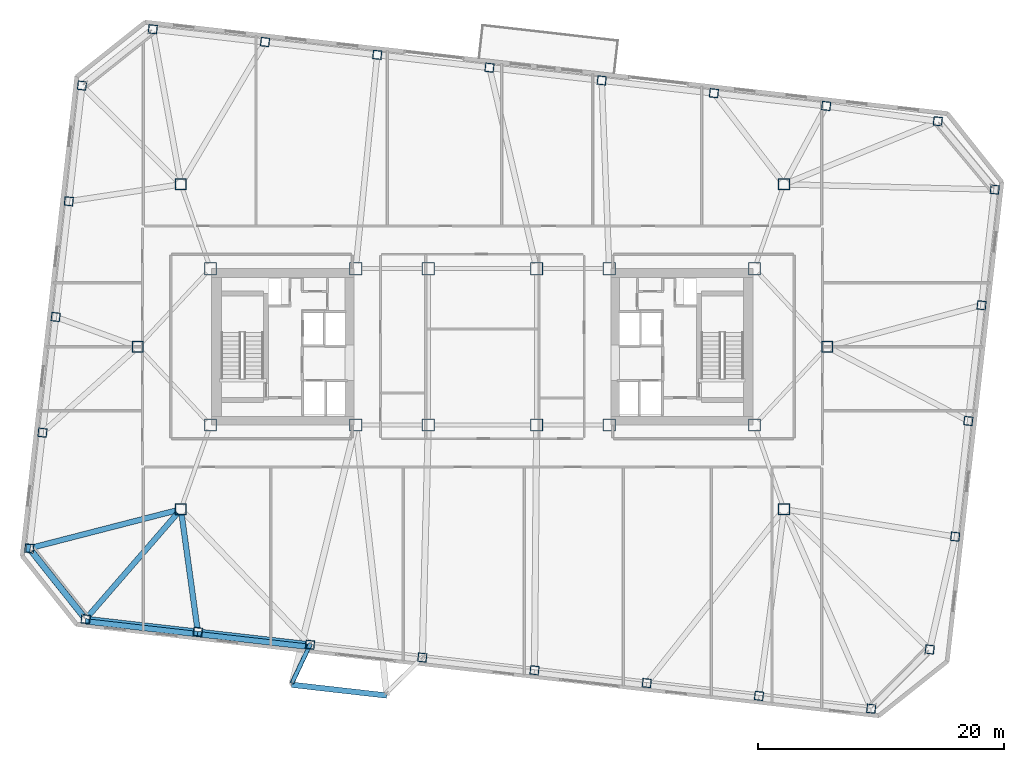
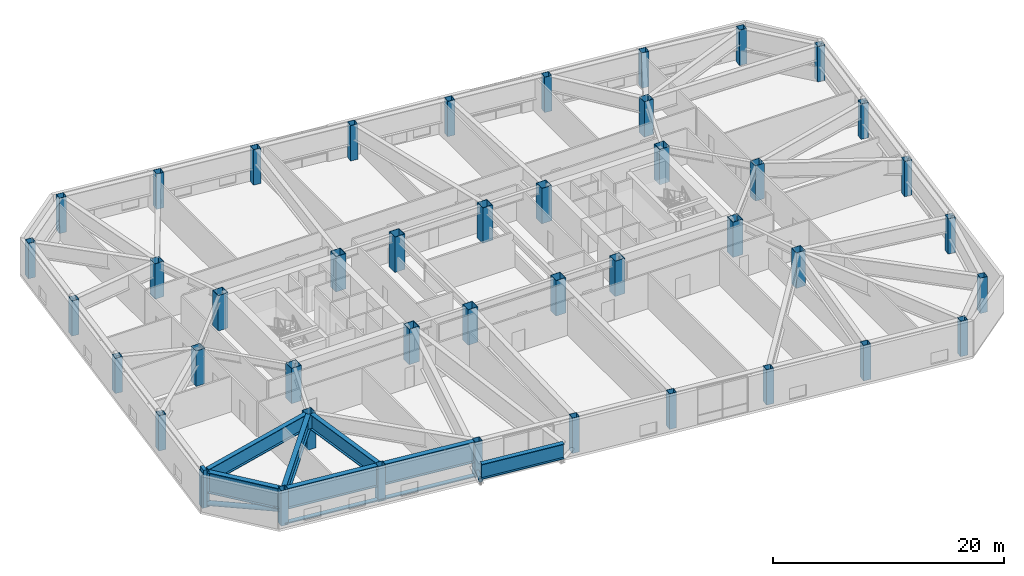
# One storey, part 1 of 21: 44 columns, 7 beams, 5 members.
"""IFC4 building model written with IfcOpenShell, lengths in metres."""

from ifc_helpers import new_model, si_unit, direction, frame, origin, origin_2d, place, context, subcontext, project, spatial, rectangle, hollow_rectangle, hollow_circle, i_section, extrude, material, material_profile, profile_set, type_object, element, save


model = new_model("IFC4")

# Units and contexts
model_context = context("Model", 3, precision=1e-05, world=origin(), true_north=direction((0.0, 1.0)))
body_context = subcontext(model_context, "Body", "Model", "MODEL_VIEW")
ifc_project = project(units=[si_unit("LENGTHUNIT", "METRE"), si_unit("AREAUNIT", "SQUARE_METRE"), si_unit("VOLUMEUNIT", "CUBIC_METRE"), si_unit("PLANEANGLEUNIT", "RADIAN"), si_unit("MASSUNIT", "GRAM", prefix="KILO")], contexts=[model_context])

# Site, building, storey
site_placement = place(None, origin())
site = spatial("IfcSite", under=ifc_project, at=site_placement, CompositionType="ELEMENT")
building_placement = place(site_placement, origin())
building = spatial("IfcBuilding", under=site, at=building_placement, Name="Tavrogorsk Clinical Tower", CompositionType="ELEMENT")
storey_placement = place(building_placement, frame((0.0, 0.0, 89.39990234375)))
storey = spatial("IfcBuildingStorey", under=building, at=storey_placement, Name="L19", CompositionType="ELEMENT", Elevation=89.39990234375)

# Columns
ifc_material_1 = material(Name="Structural steel S440", Category="steel")
ifc_material_profile_1 = material_profile(ifc_material_1, hollow_rectangle(XDim=1.0, YDim=1.0, WallThickness=0.044921875, at=origin_2d()), Name="BOX-1000x1000x45")
ifc_profile_set_1 = profile_set([ifc_material_profile_1], Name="Structural steel S440")
column_type_1 = type_object("IfcColumnType", Name="MegaCol_BOX1000", PredefinedType="COLUMN", material=ifc_profile_set_1)
for number, where, z_axis, x_axis, name in (
    (1, (-22.10009765625, -6.35009765625, 0.0), (0.0, 0.0, 1.0), (1.0, 0.0, 0.0), "L19 Mega Column MC-W1"),
    (2, (-22.10009765625, 6.35009765625, 0.0), (0.0, 0.0, 1.0), (1.0, 0.0, 0.0), "L19 Mega Column MC-W2"),
    (3, (-10.300048828125, -6.35009765625, 0.0), (0.0, 0.0, 1.0), (1.0, 0.0, 0.0), "L19 Mega Column MC-W3"),
    (4, (-10.300048828125, 6.35009765625, 0.0), (0.0, 0.0, 1.0), (1.0, 0.0, 0.0), "L19 Mega Column MC-W4"),
    (5, (10.300048828125, -6.35009765625, 0.0), (0.0, 0.0, 1.0), (1.0, 0.0, 0.0), "L19 Mega Column MC-E1"),
    (6, (10.300048828125, 6.35009765625, 0.0), (0.0, 0.0, 1.0), (1.0, 0.0, 0.0), "L19 Mega Column MC-E2"),
    (7, (22.10009765625, -6.35009765625, 0.0), (0.0, 0.0, 1.0), (1.0, 0.0, 0.0), "L19 Mega Column MC-E3"),
    (8, (22.10009765625, 6.35009765625, 0.0), (0.0, 0.0, 1.0), (1.0, 0.0, 0.0), "L19 Mega Column MC-E4"),
    (9, (-4.39990234375, -6.35009765625, 0.0), (0.0, 0.0, 1.0), (1.0, 0.0, 0.0), "L19 Mega Column MC-C1"),
    (10, (4.39990234375, -6.35009765625, 0.0), (0.0, 0.0, 1.0), (1.0, 0.0, 0.0), "L19 Mega Column MC-C2"),
    (11, (-4.39990234375, 6.35009765625, 0.0), (0.0, 0.0, 1.0), (1.0, 0.0, 0.0), "L19 Mega Column MC-C3"),
    (12, (4.39990234375, 6.35009765625, 0.0), (0.0, 0.0, 1.0), (1.0, 0.0, 0.0), "L19 Mega Column MC-C4"),
):
    element("IfcColumn", number, at=place(storey_placement, frame(where, z_axis=z_axis, x_axis=x_axis)), inside=storey, type_object=column_type_1, Name=name, PredefinedType="COLUMN", context=body_context, shape_type="SweptSolid", body=[
        extrude(hollow_rectangle(XDim=1.0, YDim=1.0, WallThickness=0.044921875, at=origin_2d()), origin(), (0.0, 0.0, 1.0), 3.739990234375),
    ])
ifc_material_2 = material(Name="Structural steel S440", Category="steel")
ifc_material_profile_2 = material_profile(ifc_material_2, hollow_rectangle(XDim=0.89990234375, YDim=0.89990234375, WallThickness=0.0400390625, at=origin_2d()), Name="BOX-900x900x40")
ifc_profile_set_2 = profile_set([ifc_material_profile_2], Name="Structural steel S440")
column_type_2 = type_object("IfcColumnType", Name="MegaCol_BOX900", PredefinedType="COLUMN", material=ifc_profile_set_2)
for number, where, z_axis, x_axis, name in (
    (13, (-24.5, -13.199951171875, 0.0), (0.0, 0.0, 1.0), (1.0, 0.0, 0.0), "L19 Spine Pilotis Column MC-P1"),
    (14, (24.5, -13.199951171875, 0.0), (0.0, 0.0, 1.0), (1.0, 0.0, 0.0), "L19 Spine Pilotis Column MC-P2"),
    (15, (-24.5, 13.199951171875, 0.0), (0.0, 0.0, 1.0), (1.0, 0.0, 0.0), "L19 Spine Pilotis Column MC-P3"),
    (16, (24.5, 13.199951171875, 0.0), (0.0, 0.0, 1.0), (1.0, 0.0, 0.0), "L19 Spine Pilotis Column MC-P4"),
    (17, (-28.0, 0.0, 0.0), (0.0, 0.0, 1.0), (1.0, 0.0, 0.0), "L19 Spine Pilotis Column MC-P5"),
    (18, (28.0, 0.0, 0.0), (0.0, 0.0, 1.0), (1.0, 0.0, 0.0), "L19 Spine Pilotis Column MC-P6"),
):
    element("IfcColumn", number, at=place(storey_placement, frame(where, z_axis=z_axis, x_axis=x_axis)), inside=storey, type_object=column_type_2, Name=name, PredefinedType="COLUMN", context=body_context, shape_type="SweptSolid", body=[
        extrude(hollow_rectangle(XDim=0.89990234375, YDim=0.89990234375, WallThickness=0.0400390625, at=origin_2d()), origin(), (0.0, 0.0, 1.0), 3.739990234375),
    ])
ifc_material_3 = material(Name="Structural steel S440", Category="steel")
ifc_material_profile_3 = material_profile(ifc_material_3, hollow_rectangle(XDim=0.699951171875, YDim=0.699951171875, WallThickness=0.031982421875, at=origin_2d()), Name="BOX-700x700x32")
ifc_profile_set_3 = profile_set([ifc_material_profile_3], Name="Structural steel S440")
column_type_3 = type_object("IfcColumnType", Name="PerimCol_B2_BOX700", PredefinedType="COLUMN", material=ifc_profile_set_3)
for number, where, z_axis, x_axis, name in (
    (19, (-32.243896484375, -22.12890625, 0.0), (0.0, 0.0, 1.0), (0.993571855677, -0.113203213768, 0.0), "L19 Perimeter Column S1"),
    (20, (-23.1259765625, -23.167724609375, 0.0), (0.0, 0.0, 1.0), (0.993571855677, -0.113203213768, 0.0), "L19 Perimeter Column S2"),
    (21, (-14.0078125, -24.20654296875, 0.0), (0.0, 0.0, 1.0), (0.993571855677, -0.113203213768, 0.0), "L19 Perimeter Column S3"),
    (22, (-4.8896484375, -25.24560546875, 0.0), (0.0, 0.0, 1.0), (0.993571855677, -0.113203213768, 0.0), "L19 Perimeter Column S4"),
    (23, (4.228515625, -26.284423828125, 0.0), (0.0, 0.0, 1.0), (0.993571855677, -0.113203213768, 0.0), "L19 Perimeter Column S5"),
    (24, (13.3466796875, -27.3232421875, 0.0), (0.0, 0.0, 1.0), (0.993571855677, -0.113203213768, 0.0), "L19 Perimeter Column S6"),
    (25, (22.465087890625, -28.3623046875, 0.0), (0.0, 0.0, 1.0), (0.993571855677, -0.113203213768, 0.0), "L19 Perimeter Column S7"),
    (26, (31.5830078125, -29.40087890625, 0.0), (0.0, 0.0, 1.0), (0.993571855677, -0.113203213768, 0.0), "L19 Perimeter Column S8"),
    (27, (36.99658203125, 18.323486328125, 0.0), (0.0, 0.0, 1.0), (0.993571855677, -0.113203213768, 0.0), "L19 Perimeter Column N1"),
    (28, (27.92578125, 19.567626953125, 0.0), (0.0, 0.0, 1.0), (0.993571855677, -0.113203213768, 0.0), "L19 Perimeter Column N2"),
    (29, (18.8076171875, 20.606689453125, 0.0), (0.0, 0.0, 1.0), (0.993571855677, -0.113203213768, 0.0), "L19 Perimeter Column N3"),
    (30, (9.689697265625, 21.6455078125, 0.0), (0.0, 0.0, 1.0), (0.993571855677, -0.113203213768, 0.0), "L19 Perimeter Column N4"),
    (31, (0.5712890625, 22.684326171875, 0.0), (0.0, 0.0, 1.0), (0.993571855677, -0.113203213768, 0.0), "L19 Perimeter Column N5"),
    (32, (-8.546875, 23.723388671875, 0.0), (0.0, 0.0, 1.0), (0.993571855677, -0.113203213768, 0.0), "L19 Perimeter Column N6"),
    (33, (-17.6650390625, 24.76220703125, 0.0), (0.0, 0.0, 1.0), (0.993571855677, -0.113203213768, 0.0), "L19 Perimeter Column N7"),
    (34, (-26.783203125, 25.801025390625, 0.0), (0.0, 0.0, 1.0), (0.993571855677, -0.113203213768, 0.0), "L19 Perimeter Column N8"),
    (35, (36.335693359375, -24.591796875, 0.0), (0.0, 0.0, 1.0), (0.993571855677, -0.113203213768, 0.0), "L19 Perimeter Column E1"),
    (36, (38.4091796875, -15.423828125, 0.0), (0.0, 0.0, 1.0), (0.993571855677, -0.113203213768, 0.0), "L19 Perimeter Column E2"),
    (37, (39.47998046875, -6.024658203125, 0.0), (0.0, 0.0, 1.0), (0.993571855677, -0.113203213768, 0.0), "L19 Perimeter Column E3"),
    (38, (40.551025390625, 3.37451171875, 0.0), (0.0, 0.0, 1.0), (0.993571855677, -0.113203213768, 0.0), "L19 Perimeter Column E4"),
    (39, (41.621826171875, 12.773681640625, 0.0), (0.0, 0.0, 1.0), (0.993571855677, -0.113203213768, 0.0), "L19 Perimeter Column E5"),
    (40, (-32.538330078125, 21.22314453125, 0.0), (0.0, 0.0, 1.0), (0.993571855677, -0.113203213768, 0.0), "L19 Perimeter Column W1"),
    (41, (-33.609130859375, 11.823974609375, 0.0), (0.0, 0.0, 1.0), (0.993571855677, -0.113203213768, 0.0), "L19 Perimeter Column W2"),
    (42, (-34.68017578125, 2.4248046875, 0.0), (0.0, 0.0, 1.0), (0.993571855677, -0.113203213768, 0.0), "L19 Perimeter Column W3"),
    (43, (-35.7509765625, -6.974365234375, 0.0), (0.0, 0.0, 1.0), (0.993571855677, -0.113203213768, 0.0), "L19 Perimeter Column W4"),
    (44, (-36.822021484375, -16.37353515625, 0.0), (0.0, 0.0, 1.0), (0.993571855677, -0.113203213768, 0.0), "L19 Perimeter Column W5"),
):
    element("IfcColumn", number, at=place(storey_placement, frame(where, z_axis=z_axis, x_axis=x_axis)), inside=storey, type_object=column_type_3, Name=name, PredefinedType="COLUMN", context=body_context, shape_type="SweptSolid", body=[
        extrude(hollow_rectangle(XDim=0.699951171875, YDim=0.699951171875, WallThickness=0.031982421875, at=origin_2d()), origin(), (0.0, 0.0, 1.0), 3.739990234375),
    ])

# Members
ifc_material_4 = material(Name="Anodised aluminium alloy AW-6063", Category="aluminium")
ifc_material_profile_4 = material_profile(ifc_material_4, rectangle(XDim=0.449951171875, YDim=0.1201171875, at=origin_2d()), Name="ALU-SUNSHADE-450x120")
ifc_profile_set_4 = profile_set([ifc_material_profile_4], Name="Anodised aluminium alloy AW-6063")
member_type_1 = type_object("IfcMemberType", Name="ChicagoSunshade_450x120", PredefinedType="USERDEFINED", material=ifc_profile_set_4)
for number, where, z_axis, x_axis, name in (
    (45, (-32.264404296875, -22.3076171875, 0.18017578125), (0.993572654864, -0.113196199166, 0.0), (0.113196199166, 0.993572654864, 0.0), "L19 South Aluminium Sunshade S1"),
    (46, (-23.146240234375, -23.346435546875, 0.18017578125), (0.993569662511, -0.113222461274, 0.0), (0.113222461274, 0.993569662511, 0.0), "L19 South Aluminium Sunshade S2"),
):
    element("IfcMember", number, at=place(storey_placement, frame(where, z_axis=z_axis, x_axis=x_axis)), inside=storey, type_object=member_type_1, Name=name, ObjectType="SUNSHADE", PredefinedType="USERDEFINED", context=body_context, shape_type="SweptSolid", body=[
        extrude(rectangle(XDim=0.449951171875, YDim=0.1201171875, at=origin_2d()), origin(), (0.0, 0.0, 1.0), 9.17724609375),
    ])
ifc_material_5 = material(Name="Structural steel S390", Category="steel")
ifc_material_profile_5 = material_profile(ifc_material_5, hollow_circle(Radius=0.177734375, WallThickness=0.01416015625, at=origin_2d()), Name="CHS-355.6x14.2")
ifc_profile_set_5 = profile_set([ifc_material_profile_5], Name="Structural steel S390")
member_type_2 = type_object("IfcMemberType", Name="DayroomStrut_CHS355", PredefinedType="STRUT", material=ifc_profile_set_5)
member_1_placement = place(storey_placement, frame((-13.975830078125, -24.139404296875, 0.42041015625), z_axis=(-0.397375374525, -0.839542735802, 0.370487255494), x_axis=(0.903863906211, -0.427820101269, 0.0)))
element("IfcMember", 47, at=member_1_placement, inside=storey, type_object=member_type_2, Name="L20 Day-Room Raking Strut DRB-03-L", PredefinedType="STRUT", context=body_context, shape_type="SweptSolid", body=[
    extrude(hollow_circle(Radius=0.177734375, WallThickness=0.01416015625, at=origin_2d()), origin(), (0.0, 0.0, 1.0), 3.77734375),
])
ifc_material_6 = material(Name="Structural steel S440", Category="steel")
ifc_material_profile_6 = material_profile(ifc_material_6, hollow_circle(Radius=0.25390625, WallThickness=0.02001953125, at=origin_2d()), Name="CHS-508x20")
ifc_profile_set_6 = profile_set([ifc_material_profile_6], Name="Structural steel S440")
member_type_3 = type_object("IfcMemberType", Name="ExoBrace_CHS508", PredefinedType="BRACE", material=ifc_profile_set_6)
member_2_placement = place(storey_placement, frame((-36.601806640625, -16.650146484375, 0.357177734375), z_axis=(0.61449437536, -0.772577658141, 0.15975113393), x_axis=(0.782628707887, 0.622488799571, 0.0)))
element("IfcMember", 48, at=member_2_placement, inside=storey, type_object=member_type_3, Name="L19 Corner Exoskeleton Brace W5-S1", PredefinedType="BRACE", context=body_context, shape_type="SweptSolid", body=[
    extrude(hollow_circle(Radius=0.25390625, WallThickness=0.02001953125, at=origin_2d()), origin(), (0.0, 0.0, 1.0), 6.7333984375),
])
ifc_material_7 = material(Name="Precast concrete B45 with limestone cladding", Category="masonry")
ifc_material_profile_7 = material_profile(ifc_material_7, rectangle(XDim=0.320068359375, YDim=0.719970703125, at=origin_2d()), Name="LIMESTONE-FIN-320x720")
ifc_profile_set_7 = profile_set([ifc_material_profile_7], Name="Precast concrete B45 with limestone cladding")
member_type_4 = type_object("IfcMemberType", Name="LimestonePleatFin_320x720", PredefinedType="USERDEFINED", material=ifc_profile_set_7)
member_3_placement = place(storey_placement, frame((-36.9013671875, -16.364501953125, 0.0), z_axis=(0.0, 0.0, 1.0), x_axis=(0.993571855677, -0.113203213768, 0.0)))
element("IfcMember", 49, at=member_3_placement, inside=storey, type_object=member_type_4, Name="L19 W Pleated Stone Fin 4", ObjectType="FIN", PredefinedType="USERDEFINED", context=body_context, shape_type="SweptSolid", body=[
    extrude(rectangle(XDim=0.320068359375, YDim=0.719970703125, at=origin_2d()), origin(), (0.0, 0.0, 1.0), 4.0),
])

# Beams
ifc_material_8 = material(Name="Structural steel S440", Category="steel")
ifc_material_profile_8 = material_profile(ifc_material_8, i_section(OverallWidth=0.449951171875, OverallDepth=1.60009765625, WebThickness=0.031982421875, FlangeThickness=0.050048828125, at=origin_2d()), Name="DK-1600x450x32x50")
ifc_profile_set_8 = profile_set([ifc_material_profile_8], Name="Structural steel S440")
beam_type_1 = type_object("IfcBeamType", Name="TransferGirder_DK1600", PredefinedType="USERDEFINED", material=ifc_profile_set_8)
beam_1_placement = place(storey_placement, frame((-24.7685546875, -13.509765625, 2.940185546875), z_axis=(-0.655213926096, -0.755443387058, 0.0), x_axis=(0.755443387058, -0.655213926096, 0.0)))
element("IfcBeam", 50, at=beam_1_placement, inside=storey, type_object=beam_type_1, Name="L19 Radial Floor Beam S1", ObjectType="GIRDER", PredefinedType="USERDEFINED", context=body_context, shape_type="SweptSolid", body=[
    extrude(i_section(OverallWidth=0.449951171875, OverallDepth=1.60009765625, WebThickness=0.031982421875, FlangeThickness=0.050048828125, at=origin_2d()), origin(), (0.0, 0.0, 1.0), 11.05126953125),
])
beam_2_placement = place(storey_placement, frame((-24.444091796875, -13.606201171875, 2.940185546875), z_axis=(0.136572505989, -0.990630077581, 0.0), x_axis=(0.990630077581, 0.136572505989, 0.0)))
element("IfcBeam", 51, at=beam_2_placement, inside=storey, type_object=beam_type_1, Name="L19 Radial Floor Beam S2", ObjectType="GIRDER", PredefinedType="USERDEFINED", context=body_context, shape_type="SweptSolid", body=[
    extrude(i_section(OverallWidth=0.449951171875, OverallDepth=1.60009765625, WebThickness=0.031982421875, FlangeThickness=0.050048828125, at=origin_2d()), origin(), (0.0, 0.0, 1.0), 9.2939453125),
])
beam_3_placement = place(storey_placement, frame((-24.89697265625, -13.30224609375, 2.940185546875), z_axis=(-0.968393085087, -0.24942901346, 0.0), x_axis=(0.24942901346, -0.968393085087, 0.0)))
element("IfcBeam", 52, at=beam_3_placement, inside=storey, type_object=beam_type_1, Name="L19 Radial Floor Beam W5", ObjectType="GIRDER", PredefinedType="USERDEFINED", context=body_context, shape_type="SweptSolid", body=[
    extrude(i_section(OverallWidth=0.449951171875, OverallDepth=1.60009765625, WebThickness=0.031982421875, FlangeThickness=0.050048828125, at=origin_2d()), origin(), (0.0, 0.0, 1.0), 11.9560546875),
])
beam_4_placement = place(storey_placement, frame((-15.49755859375, -27.45703125, 2.940185546875), z_axis=(0.993626925618, -0.112718821352, 0.0), x_axis=(0.112718821352, 0.993626925618, 0.0)))
element("IfcBeam", 53, at=beam_4_placement, inside=storey, type_object=beam_type_1, Name="L20 Day-Room Base Edge Girder DRB-03", ObjectType="GIRDER", PredefinedType="USERDEFINED", context=body_context, shape_type="SweptSolid", body=[
    extrude(i_section(OverallWidth=0.449951171875, OverallDepth=1.60009765625, WebThickness=0.031982421875, FlangeThickness=0.050048828125, at=origin_2d()), origin(), (0.0, 0.0, 1.0), 7.77783203125),
])
ifc_material_9 = material(Name="Structural steel S440", Category="steel")
ifc_material_profile_9 = material_profile(ifc_material_9, i_section(OverallWidth=0.5, OverallDepth=2.199951171875, WebThickness=0.035888671875, FlangeThickness=0.054931640625, at=origin_2d()), Name="DK-2200x500x36x55")
ifc_profile_set_9 = profile_set([ifc_material_profile_9], Name="Structural steel S440")
beam_type_2 = type_object("IfcBeamType", Name="TransferGirder_DK2200", PredefinedType="USERDEFINED", material=ifc_profile_set_9)
beam_5_placement = place(storey_placement, frame((-31.88818359375, -22.16943359375, 2.64013671875), z_axis=(0.99357232562, -0.113199089054, 0.0), x_axis=(0.113199089054, 0.99357232562, 0.0)))
element("IfcBeam", 54, at=beam_5_placement, inside=storey, type_object=beam_type_2, Name="L19 Perimeter Spandrel S1-S2", ObjectType="GIRDER", PredefinedType="USERDEFINED", context=body_context, shape_type="SweptSolid", body=[
    extrude(i_section(OverallWidth=0.5, OverallDepth=2.199951171875, WebThickness=0.035888671875, FlangeThickness=0.054931640625, at=origin_2d()), origin(), (0.0, 0.0, 1.0), 8.4609375),
])
beam_6_placement = place(storey_placement, frame((-22.770263671875, -23.208251953125, 2.64013671875), z_axis=(0.99357306506, -0.113192598642, 0.0), x_axis=(0.113192598642, 0.99357306506, 0.0)))
element("IfcBeam", 55, at=beam_6_placement, inside=storey, type_object=beam_type_2, Name="L19 Perimeter Spandrel S2-S3", ObjectType="GIRDER", PredefinedType="USERDEFINED", context=body_context, shape_type="SweptSolid", body=[
    extrude(i_section(OverallWidth=0.5, OverallDepth=2.199951171875, WebThickness=0.035888671875, FlangeThickness=0.054931640625, at=origin_2d()), origin(), (0.0, 0.0, 1.0), 8.46142578125),
])
beam_7_placement = place(storey_placement, frame((-36.59912109375, -16.65380859375, 2.64013671875), z_axis=(0.622530733212, -0.782595352788, 0.0), x_axis=(0.782595352788, 0.622530733212, 0.0)))
element("IfcBeam", 56, at=beam_7_placement, inside=storey, type_object=beam_type_2, Name="L19 Perimeter Spandrel W5-S1", ObjectType="GIRDER", PredefinedType="USERDEFINED", context=body_context, shape_type="SweptSolid", body=[
    extrude(i_section(OverallWidth=0.5, OverallDepth=2.199951171875, WebThickness=0.035888671875, FlangeThickness=0.054931640625, at=origin_2d()), origin(), (0.0, 0.0, 1.0), 6.637939453125),
])

save(model, "model.ifc")
